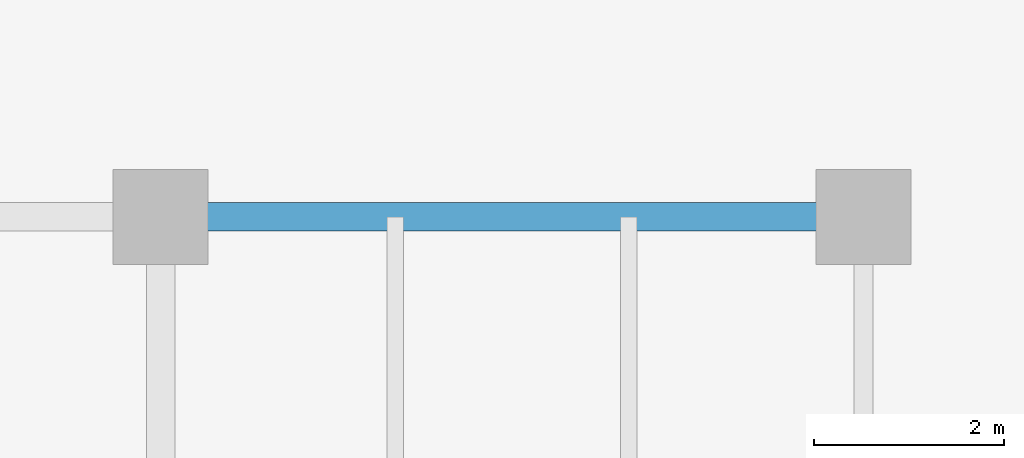
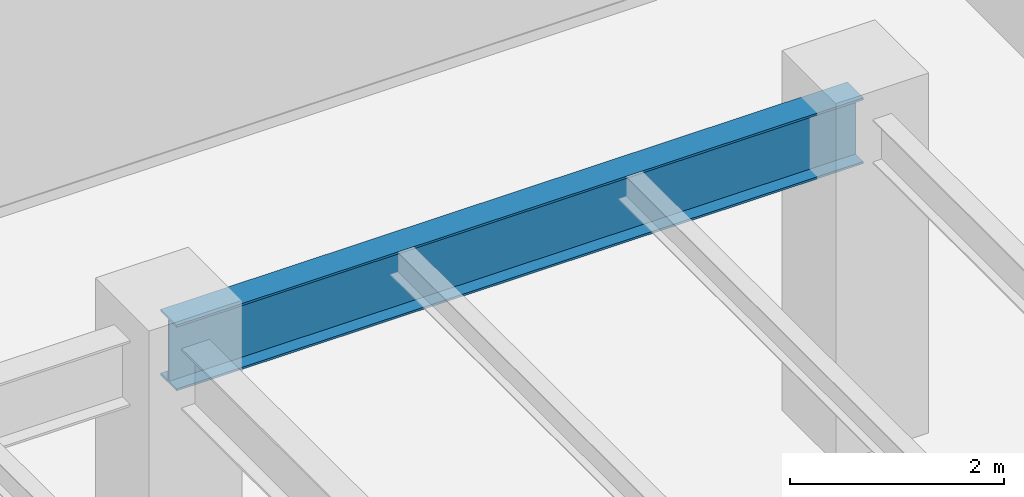
# One storey, part 21 of 35: 1 beam.
"""IFC4 building model written with IfcOpenShell, lengths in metres."""

import ifcopenshell
import ifcopenshell.guid

model = None  # the IFC model being written
_history = None  # IfcOwnerHistory: only IFC2X3 demands one
_inside = {}  # id of a spatial element -> (the spatial element, [elements in it])
_under = {}  # id of a project, library or spatial element -> (it, [spatial elements below it])
_declared = {}  # id of a project -> (the project, [libraries it declares])
_typed = {}  # id of a type object -> (the type object, [elements of that type])
_made_of = {}  # id of a material, layer set ... -> (it, [elements and type objects made of it])


def new_model(schema):
    """Start an empty IFC model of exactly this schema.

    Asked for "IFC4X3", IfcOpenShell would pick the latest addendum, in which some entities
    have other attributes; the version numbers below select the first issue.
    IFC2X3 requires an IfcOwnerHistory on every rooted entity: one is made here for all.
    """
    global model, _history
    if schema == "IFC4X3":
        model = ifcopenshell.file(schema_version=(4, 3, 0, 0))
    else:
        model = ifcopenshell.file(schema=schema)
    _inside.clear()
    _under.clear()
    _declared.clear()
    _typed.clear()
    _made_of.clear()
    _history = None
    if model.schema == "IFC2X3":
        org = make("IfcOrganization", Name="unknown")
        user = make(
            "IfcPersonAndOrganization",
            ThePerson=make("IfcPerson", FamilyName="unknown"),
            TheOrganization=org,
        )
        app = make(
            "IfcApplication",
            ApplicationDeveloper=org,
            Version="unknown",
            ApplicationFullName="unknown",
            ApplicationIdentifier="unknown",
        )
        _history = make(
            "IfcOwnerHistory",
            OwningUser=user,
            OwningApplication=app,
            ChangeAction="ADDED",
            CreationDate=0,
        )
    return model


def make(cls, **values):
    """One entity of the class cls with the attributes given. An attribute that is None is left unset."""
    return model.create_entity(
        cls, **{name: value for name, value in values.items() if value is not None}
    )


def rooted(cls, **values):
    """An entity with a GlobalId (a new one), such as an element, a storey or a relation."""
    return make(cls, GlobalId=ifcopenshell.guid.new(), OwnerHistory=_history, **values)


def si_unit(unit_type, name, prefix=None):
    """IfcSIUnit, for example si_unit("LENGTHUNIT", "METRE", prefix="MILLI")."""
    return make("IfcSIUnit", UnitType=unit_type, Prefix=prefix, Name=name)


def assignment(units):
    """IfcUnitAssignment: the units of a project."""
    return None if units is None else make("IfcUnitAssignment", Units=units)


def point(xyz):
    """IfcCartesianPoint."""
    return None if xyz is None else make("IfcCartesianPoint", Coordinates=xyz)


def direction(xyz):
    """IfcDirection."""
    return None if xyz is None else make("IfcDirection", DirectionRatios=xyz)


def frame(location, z_axis=None, x_axis=None):
    """IfcAxis2Placement3D, a coordinate frame: its origin and axes. An axis left out is left unset."""
    return make(
        "IfcAxis2Placement3D",
        Location=point(location),
        Axis=direction(z_axis),
        RefDirection=direction(x_axis),
    )


def frame_2d(location, x_axis=None):
    """IfcAxis2Placement2D, a coordinate frame in the plane: its origin and x axis."""
    return make(
        "IfcAxis2Placement2D", Location=point(location), RefDirection=direction(x_axis)
    )


def origin():
    """The frame at (0, 0, 0) with its axes left unset."""
    return frame((0.0, 0.0, 0.0))


def origin_2d():
    """The frame at (0, 0) in the plane with its x axis left unset."""
    return frame_2d((0.0, 0.0))


def place(relative_to, where):
    """IfcLocalPlacement: puts the frame where relative to a parent placement (None: the world)."""
    return make(
        "IfcLocalPlacement", PlacementRelTo=relative_to, RelativePlacement=where
    )


def context(
    kind, dimensions, precision=None, world=None, true_north=None, identifier=None
):
    """IfcGeometricRepresentationContext, for example the 3D "Model" context."""
    return make(
        "IfcGeometricRepresentationContext",
        ContextIdentifier=identifier,
        ContextType=kind,
        CoordinateSpaceDimension=dimensions,
        Precision=precision,
        WorldCoordinateSystem=world,
        TrueNorth=true_north,
    )


def subcontext(parent, identifier, kind, view, scale=None):
    """IfcGeometricRepresentationSubContext, for example "Body" below "Model"."""
    return make(
        "IfcGeometricRepresentationSubContext",
        ContextIdentifier=identifier,
        ContextType=kind,
        ParentContext=parent,
        TargetScale=scale,
        TargetView=view,
    )


def project(units=None, contexts=None):
    """IfcProject with its units and contexts."""
    return rooted(
        "IfcProject",
        Name="project",
        RepresentationContexts=contexts,
        UnitsInContext=assignment(units),
    )


def spatial(cls, under=None, at=None, **own):
    """A site, building, storey or space (cls), placed at a placement, below another one or the project."""
    s = rooted(cls, ObjectPlacement=at, **own)
    if under is not None:
        _under.setdefault(under.id(), (under, []))[1].append(s)
    return s


def profile(cls, at=None, kind="AREA", **sizes):
    """A parametric profile (cls). Its sizes go by their IFC names, for example OverallWidth=200.0."""
    return make(cls, ProfileType=kind, Position=at, **sizes)


def i_section(**sizes):
    """IfcIShapeProfileDef."""
    return profile("IfcIShapeProfileDef", **sizes)


def extrude(swept, where, along, depth):
    """IfcExtrudedAreaSolid: the profile swept, set in the frame where, extruded along a direction by depth."""
    return make(
        "IfcExtrudedAreaSolid",
        SweptArea=swept,
        Position=where,
        ExtrudedDirection=direction(along),
        Depth=depth,
    )


def shape(context_of_items, identifier, shape_type, items):
    """IfcShapeRepresentation: the items that make up one representation, for example the "Body"."""
    return make(
        "IfcShapeRepresentation",
        ContextOfItems=context_of_items,
        RepresentationIdentifier=identifier,
        RepresentationType=shape_type,
        Items=items,
    )


def source(mapping_origin, context_of_items, identifier, shape_type, items):
    """IfcRepresentationMap: a shape defined once, which mapped items show again and again."""
    return make(
        "IfcRepresentationMap",
        MappingOrigin=mapping_origin,
        MappedRepresentation=shape(context_of_items, identifier, shape_type, items),
    )


def transform(
    local_origin,
    x_axis=None,
    y_axis=None,
    z_axis=None,
    scale=None,
    scale2=None,
    scale3=None,
    uniform=True,
):
    """IfcCartesianTransformationOperator3D, or its non-uniform kind. x_axis, y_axis, z_axis: its Axis1, 2, 3."""
    if uniform:
        return make(
            "IfcCartesianTransformationOperator3D",
            Axis1=direction(x_axis),
            Axis2=direction(y_axis),
            LocalOrigin=point(local_origin),
            Scale=scale,
            Axis3=direction(z_axis),
        )
    return make(
        "IfcCartesianTransformationOperator3DnonUniform",
        Axis1=direction(x_axis),
        Axis2=direction(y_axis),
        LocalOrigin=point(local_origin),
        Scale=scale,
        Axis3=direction(z_axis),
        Scale2=scale2,
        Scale3=scale3,
    )


def mapped(mapping_source, mapping_target):
    """IfcMappedItem: shows the shape of a source again, moved by a transform."""
    return make(
        "IfcMappedItem", MappingSource=mapping_source, MappingTarget=mapping_target
    )


def material(Name=None, Category=None):
    """IfcMaterial."""
    return make("IfcMaterial", Name=Name, Category=Category)


def material_profile(
    of_material, cross_section, Name=None, Category=None, Priority=None
):
    """IfcMaterialProfile: a cross section and its material."""
    return make(
        "IfcMaterialProfile",
        Name=Name,
        Material=of_material,
        Profile=cross_section,
        Priority=Priority,
        Category=Category,
    )


def profile_set(profiles, Name=None, composite=None):
    """IfcMaterialProfileSet."""
    return make(
        "IfcMaterialProfileSet",
        Name=Name,
        MaterialProfiles=profiles,
        CompositeProfile=composite,
    )


def made_of(thing, what):
    """Note that an element or type object is made of a material, layer set ...; save() writes the relation."""
    if what is not None:
        _made_of.setdefault(what.id(), (what, []))[1].append(thing)
    return thing


def type_object(cls, material=None, **own):
    """A type object (cls), such as IfcWallType, which elements share."""
    return made_of(rooted(cls, **own), material)


def type_shapes(of_type, sources):
    """Give a type object the sources (RepresentationMaps) that its elements show as mapped items."""
    of_type.RepresentationMaps = sources


def element(
    cls,
    number,
    at=None,
    inside=None,
    cuts=None,
    type_object=None,
    material=None,
    context=None,
    identifier="Body",
    shape_type=None,
    held_by="IfcProductDefinitionShape",
    body=None,
    shapes=None,
    **own,
):
    """One element of the class cls, such as IfcWall. Its Tag is "e" and its number.

    at: its placement. inside: the storey or other place that contains it. cuts: it is an
    opening in that element (IfcRelVoidsElement). A single representation is given by context,
    identifier, shape_type and body (its items); several are given by shapes. held_by: the class
    of the entity that holds the representations. save() writes the other relations.
    """
    e = rooted(cls, Tag="e%d" % number, ObjectPlacement=at, **own)
    if body is not None:
        shapes = [shape(context, identifier, shape_type, body)]
    if shapes is not None:
        e.Representation = make(held_by, Representations=shapes)
    if inside is not None:
        _inside.setdefault(inside.id(), (inside, []))[1].append(e)
    if cuts is not None:
        rooted(
            "IfcRelVoidsElement", RelatingBuildingElement=cuts, RelatedOpeningElement=e
        )
    if type_object is not None:
        _typed.setdefault(type_object.id(), (type_object, []))[1].append(e)
    return made_of(e, material)


def aggregate(whole, parts):
    """IfcRelAggregates: a whole, such as a stair, and the parts it consists of."""
    return rooted("IfcRelAggregates", RelatingObject=whole, RelatedObjects=parts)


def save(model, path):
    """Write the relations noted so far, then the file.

    IfcRelAggregates (storeys below a building ...), IfcRelContainedInSpatialStructure (elements
    in a storey), IfcRelDefinesByType, IfcRelAssociatesMaterial and IfcRelDeclares: one each for
    every whole, place, type object, material and project.
    """
    for whole, parts in _under.values():
        aggregate(whole, parts)
    for where, things in _inside.values():
        rooted(
            "IfcRelContainedInSpatialStructure",
            RelatedElements=things,
            RelatingStructure=where,
        )
    for kind, things in _typed.values():
        rooted("IfcRelDefinesByType", RelatedObjects=things, RelatingType=kind)
    for what, things in _made_of.values():
        rooted("IfcRelAssociatesMaterial", RelatedObjects=things, RelatingMaterial=what)
    for by, libraries in _declared.values():
        rooted("IfcRelDeclares", RelatingContext=by, RelatedDefinitions=libraries)
    model.write(path)


model = new_model("IFC4")

# Units and contexts
model_context = context("Model", 3, precision=1e-05, world=origin(), true_north=direction((0.0, 1.0)))
body_context = subcontext(model_context, "Body", "Model", "MODEL_VIEW")
ifc_project = project(units=[si_unit("LENGTHUNIT", "METRE"), si_unit("AREAUNIT", "SQUARE_METRE"), si_unit("VOLUMEUNIT", "CUBIC_METRE"), si_unit("PLANEANGLEUNIT", "RADIAN"), si_unit("MASSUNIT", "GRAM", prefix="KILO")], contexts=[model_context])

# Site, building, storey
site_placement = place(None, origin())
site = spatial("IfcSite", under=ifc_project, at=site_placement, CompositionType="ELEMENT")
building_placement = place(site_placement, origin())
building = spatial("IfcBuilding", under=site, at=building_placement, Name="Haelvirn Gate Laboratories", CompositionType="ELEMENT")
storey_placement = place(building_placement, frame((0.0, 0.0, 45.699951171875)))
storey = spatial("IfcBuildingStorey", under=building, at=storey_placement, Name="L11", CompositionType="ELEMENT", Elevation=45.699951171875)

# Beam
ifc_material = material(Name="Steel SM355", Category="steel")
ifc_material_profile = material_profile(ifc_material, i_section(OverallWidth=0.300048828125, OverallDepth=0.75, WebThickness=0.013916015625, FlangeThickness=0.02392578125, at=origin_2d()), Name="H-750x300x14x24")
ifc_profile_set = profile_set([ifc_material_profile], Name="Steel SM355")
beam_type = type_object("IfcBeamType", Name="BM-G-750", PredefinedType="BEAM", material=ifc_profile_set)
shared_shape = source(origin(), body_context, "Body", "SweptSolid", [
    extrude(i_section(OverallWidth=0.300048828125, OverallDepth=0.75, WebThickness=0.013916015625, FlangeThickness=0.02392578125, at=origin_2d()), origin(), (0.0, 0.0, 1.0), 7.39990234375),
])
type_shapes(beam_type, [shared_shape])
beam_placement = place(storey_placement, frame((60.0, 41.60009765625, 3.405029296875), z_axis=(1.0, 0.0, 0.0), x_axis=(0.0, 1.0, 0.0)))
element("IfcBeam", 1, at=beam_placement, inside=storey, type_object=beam_type, Name="L11 Primary Girder Y41.6 (60.0-67.4)", PredefinedType="BEAM", context=body_context, shape_type="MappedRepresentation", body=[
    mapped(shared_shape, transform((0.0, 0.0, 0.0), scale=1.0)),
])

save(model, "model.ifc")
